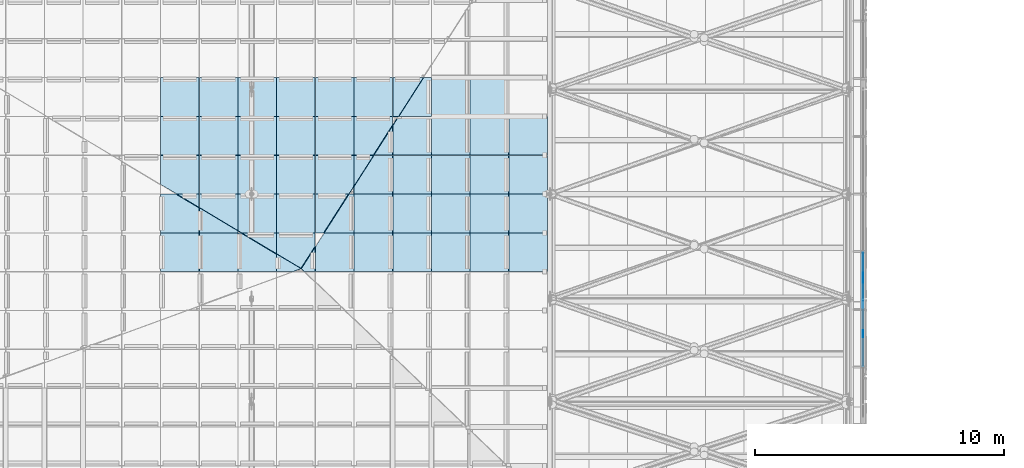
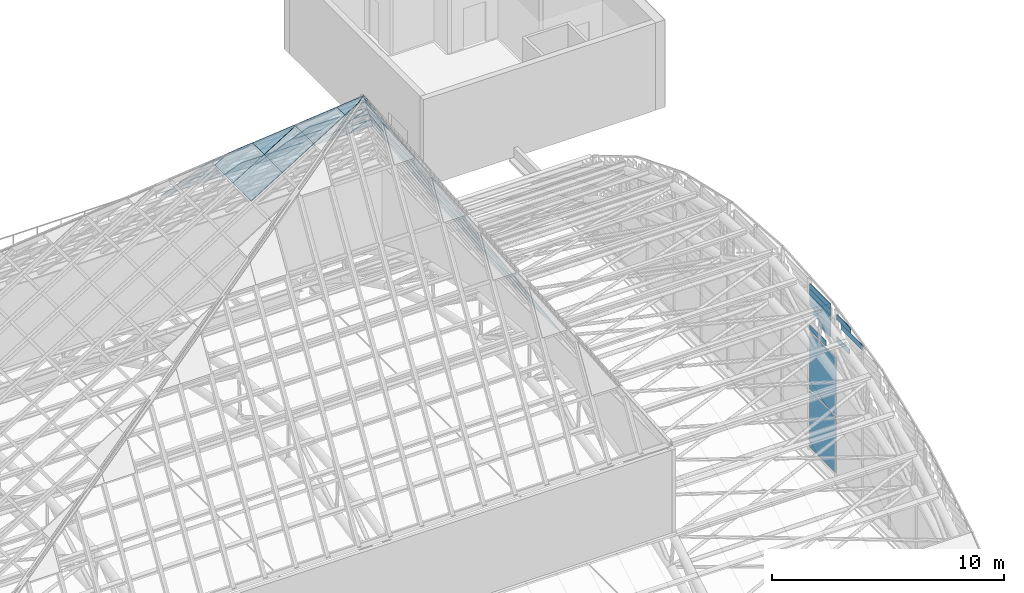
# One storey, part 63 of 110: 70 plates, 1 element without a shape of its own.
"""IFC4 building model written with IfcOpenShell, lengths in metres."""

from ifc_helpers import new_model, si_unit, direction, frame, origin, place, context, subcontext, project, spatial, polyline, outline, extrude, material, layer, layer_set, type_object, element, aggregate, save


model = new_model("IFC4")

# Units and contexts
model_context = context("Model", 3, precision=1e-05, world=origin(), true_north=direction((0.0, 1.0)))
body_context = subcontext(model_context, "Body", "Model", "MODEL_VIEW")
ifc_project = project(units=[si_unit("LENGTHUNIT", "METRE"), si_unit("AREAUNIT", "SQUARE_METRE"), si_unit("VOLUMEUNIT", "CUBIC_METRE"), si_unit("PLANEANGLEUNIT", "RADIAN"), si_unit("MASSUNIT", "GRAM", prefix="KILO")], contexts=[model_context])

# Site, building, storey
site_placement = place(None, origin())
site = spatial("IfcSite", under=ifc_project, at=site_placement, CompositionType="ELEMENT")
building_placement = place(site_placement, origin())
building = spatial("IfcBuilding", under=site, at=building_placement, Name="Windward Yard Aquatics Centre", CompositionType="ELEMENT")
storey_placement = place(building_placement, frame((0.0, 0.0, 22.60009765625)))
storey = spatial("IfcBuildingStorey", under=building, at=storey_placement, Name="L05", CompositionType="ELEMENT", Elevation=22.60009765625)

# Curtain wall, plates
ifc_material_1 = material(Name="Glass and aluminium curtain wall", Category="aluminium")
ifc_layer_1 = layer(ifc_material_1, 0.179931640625)
ifc_layer_set_1 = layer_set([ifc_layer_1], Name="H gable glazing system double glazed 8+16+8")
curtain_wall_type = type_object("IfcCurtainWallType", Name="H gable glazing system double glazed 8+16+8", PredefinedType="NOTDEFINED", material=ifc_layer_set_1)
curtain_wall_placement = place(storey_placement, origin())
curtain_wall = element("IfcCurtainWall", 1, at=curtain_wall_placement, inside=storey, type_object=curtain_wall_type, Name="Gable glazing E", PredefinedType="NOTDEFINED")
ifc_material_2 = material(Name="Low-iron glass", Category="glass")
ifc_layer_2 = layer(ifc_material_2, 0.008, Name="Outer pane")
ifc_material_3 = material(Name="Argon-filled cavity")
ifc_layer_3 = layer(ifc_material_3, 0.016, Name="Cavity")
ifc_layer_4 = layer(ifc_material_2, 0.008, Name="Inner pane")
ifc_layer_set_2 = layer_set([ifc_layer_2, ifc_layer_3, ifc_layer_4], Name="H gable glass low-e double glazed unit 32")
plate_type_1 = type_object("IfcPlateType", Name="H gable glass low-e double glazed unit 32", PredefinedType="CURTAIN_PANEL", material=ifc_layer_set_2)
plate_1_placement = place(storey_placement, frame((144.60595703125, 55.250732421875, 7.0517578125), z_axis=(1.0, 0.0, 0.0), x_axis=(0.0, 1.0, 0.0)))
plate_1 = element("IfcPlate", 2, at=plate_1_placement, type_object=plate_type_1, Name="Gable panel 7.3d", PredefinedType="CURTAIN_PANEL", context=body_context, shape_type="SweptSolid", body=[
    extrude(outline(polyline([(0.0, 0.0), (1.078369, 0.0), (1.078369, 0.266846), (0.0, 0.266846), (0.0, 0.0)])), origin(), (0.0, 0.0, -1.0), 0.031982421875),
])
plate_2_placement = place(storey_placement, frame((144.60595703125, 54.07470703125, 7.93603515625), z_axis=(1.0, 0.0, 0.0), x_axis=(0.0, 1.0, 0.0)))
plate_2 = element("IfcPlate", 3, at=plate_2_placement, type_object=plate_type_1, Name="Gable panel 7.3k", PredefinedType="CURTAIN_PANEL", context=body_context, shape_type="SweptSolid", body=[
    extrude(outline(polyline([(0.0, 0.0), (1.872314, 0.0), (1.872314, 0.278076), (0.0, 0.278076), (0.0, 0.0)])), origin(), (0.0, 0.0, -1.0), 0.031982421875),
])
plate_3_placement = place(storey_placement, frame((144.60595703125, 55.13525390625, 8.214599609375), z_axis=(1.0, 0.0, 0.0), x_axis=(0.0, 1.0, 0.0)))
plate_3 = element("IfcPlate", 4, at=plate_3_placement, type_object=plate_type_1, Name="Gable panel 7.3l", PredefinedType="CURTAIN_PANEL", context=body_context, shape_type="SweptSolid", body=[
    extrude(outline(polyline([(0.0, 0.0), (1.186035, 0.0), (1.186035, 0.278076), (0.0, 0.278076), (0.0, 0.0)])), origin(), (0.0, 0.0, -1.0), 0.031982421875),
])
plate_4_placement = place(storey_placement, frame((144.573974609375, 56.39404296875, 0.099853515625), z_axis=(-1.0, 0.0, 0.0), x_axis=(0.0, 0.0, 1.0)))
plate_4 = element("IfcPlate", 5, at=plate_4_placement, type_object=plate_type_1, Name="Gable panel 8.1", PredefinedType="CURTAIN_PANEL", context=body_context, shape_type="SweptSolid", body=[
    extrude(outline(polyline([(0.0, 0.0), (2.949951, 0.0), (2.949951, 2.25415), (0.0, 2.25415), (0.0, 0.0)])), origin(), (0.0, 0.0, -1.0), 0.031982421875),
])
plate_5_placement = place(storey_placement, frame((144.573974609375, 56.39404296875, 3.14990234375), z_axis=(-1.0, 0.0, 0.0), x_axis=(0.0, 0.0, 1.0)))
plate_5 = element("IfcPlate", 6, at=plate_5_placement, type_object=plate_type_1, Name="Gable panel 8.2", PredefinedType="CURTAIN_PANEL", context=body_context, shape_type="SweptSolid", body=[
    extrude(outline(polyline([(0.0, 0.0), (3.0, 0.0), (3.0, 2.25415), (0.0, 2.25415), (0.0, 0.0)])), origin(), (0.0, 0.0, -1.0), 0.031982421875),
])
plate_6_placement = place(storey_placement, frame((144.60595703125, 57.257080078125, 6.25), z_axis=(1.0, 0.0, 0.0), x_axis=(0.0, 1.0, 0.0)))
plate_6 = element("IfcPlate", 7, at=plate_6_placement, type_object=plate_type_1, Name="Gable panel 8.3a", PredefinedType="CURTAIN_PANEL", context=body_context, shape_type="SweptSolid", body=[
    extrude(outline(polyline([(0.0, 0.0), (1.391113, 0.0), (1.391113, 0.275391), (0.0, 0.275391), (0.0, 0.0)])), origin(), (0.0, 0.0, -1.0), 0.031982421875),
])
plate_7_placement = place(storey_placement, frame((144.60595703125, 56.85986328125, 6.96484375), z_axis=(1.0, 0.0, 0.0), x_axis=(0.0, 1.0, 0.0)))
plate_7 = element("IfcPlate", 8, at=plate_7_placement, type_object=plate_type_1, Name="Gable panel 8.3e", PredefinedType="CURTAIN_PANEL", context=body_context, shape_type="SweptSolid", body=[
    extrude(outline(polyline([(0.0, 0.0), (0.97998, 0.0), (0.97998, 0.290771), (0.0, 0.290771), (0.0, 0.0)])), origin(), (0.0, 0.0, -1.0), 0.031982421875),
])
plate_8_placement = place(storey_placement, frame((144.60595703125, 56.85986328125, 7.255859375), z_axis=(1.0, 0.0, 0.0), x_axis=(0.0, 1.0, 0.0)))
plate_8 = element("IfcPlate", 9, at=plate_8_placement, type_object=plate_type_1, Name="Gable panel 8.3f", PredefinedType="CURTAIN_PANEL", context=body_context, shape_type="SweptSolid", body=[
    extrude(outline(polyline([(0.0, 0.0), (1.469971, 0.0), (1.469971, 0.290771), (0.0, 0.290771), (0.0, 0.0)])), origin(), (0.0, 0.0, -1.0), 0.031982421875),
])
plate_9_placement = place(storey_placement, frame((144.60595703125, 56.85986328125, 7.547119140625), z_axis=(1.0, 0.0, 0.0), x_axis=(0.0, 1.0, 0.0)))
plate_9 = element("IfcPlate", 10, at=plate_9_placement, type_object=plate_type_1, Name="Gable panel 8.3g", PredefinedType="CURTAIN_PANEL", context=body_context, shape_type="SweptSolid", body=[
    extrude(outline(polyline([(0.0, 0.0), (1.78833, 0.0), (1.78833, 0.290771), (0.0, 0.290771), (0.0, 0.0)])), origin(), (0.0, 0.0, -1.0), 0.031982421875),
])
plate_10_placement = place(storey_placement, frame((144.60595703125, 56.85986328125, 7.83837890625), z_axis=(1.0, 0.0, 0.0), x_axis=(0.0, 1.0, 0.0)))
plate_10 = element("IfcPlate", 11, at=plate_10_placement, type_object=plate_type_1, Name="Gable panel 8.3h", PredefinedType="CURTAIN_PANEL", context=body_context, shape_type="SweptSolid", body=[
    extrude(outline(polyline([(0.0, 0.0), (1.78833, 0.0), (1.78833, 0.290771), (0.0, 0.290771), (0.0, 0.0)])), origin(), (0.0, 0.0, -1.0), 0.031982421875),
])
plate_11_placement = place(storey_placement, frame((144.60595703125, 56.85986328125, 8.12939453125), z_axis=(1.0, 0.0, 0.0), x_axis=(0.0, 1.0, 0.0)))
plate_11 = element("IfcPlate", 12, at=plate_11_placement, type_object=plate_type_1, Name="Gable panel 8.3i", PredefinedType="CURTAIN_PANEL", context=body_context, shape_type="SweptSolid", body=[
    extrude(outline(polyline([(0.0, 0.0), (1.78833, 0.0), (1.78833, 0.290771), (0.0, 0.290771), (0.0, 0.0)])), origin(), (0.0, 0.0, -1.0), 0.031982421875),
])
plate_12_placement = place(storey_placement, frame((144.60595703125, 56.85986328125, 8.420654296875), z_axis=(1.0, 0.0, 0.0), x_axis=(0.0, 1.0, 0.0)))
plate_12 = element("IfcPlate", 13, at=plate_12_placement, type_object=plate_type_1, Name="Gable panel 8.3j", PredefinedType="CURTAIN_PANEL", context=body_context, shape_type="SweptSolid", body=[
    extrude(outline(polyline([(0.0, 0.0), (1.78833, 0.0), (1.78833, 0.290771), (0.0, 0.290771), (0.0, 0.0)])), origin(), (0.0, 0.0, -1.0), 0.031982421875),
])
aggregate(curtain_wall, [plate_1, plate_2, plate_3, plate_4, plate_5, plate_6, plate_7, plate_8, plate_9, plate_10, plate_11, plate_12])

# Plates
ifc_material_4 = material(Name="Laminated low-e glass", Category="glass")
ifc_layer_5 = layer(ifc_material_4, 0.035888671875)
ifc_layer_set_3 = layer_set([ifc_layer_5], Name="H lantern glass laminated low-e 36")
plate_type_2 = type_object("IfcPlateType", Name="H lantern glass laminated low-e 36", PredefinedType="SHEET", material=ifc_layer_set_3)
for number, where, z_axis, x_axis, name in (
    (14, (128.791015625, 64.12646484375, 15.9189453125), (0.850371202966, 0.0, 0.526183254357), (0.0, 1.0, 0.0), "H.LN.G.02.014"),
    (15, (127.234375, 64.12646484375, 18.4345703125), (0.850371202966, 0.0, 0.526183254357), (0.0, 1.0, 0.0), "H.LN.G.02.015"),
):
    element("IfcPlate", number, at=place(storey_placement, frame(where, z_axis=z_axis, x_axis=x_axis)), inside=storey, type_object=plate_type_2, Name=name, PredefinedType="SHEET", context=body_context, shape_type="SweptSolid", body=[
        extrude(outline(polyline([(0.0, 0.0), (1.552979, 0.0), (1.552979, -2.943051), (0.0, -2.943051), (0.0, 0.0)])), origin(), (0.0, 0.0, -1.0), 0.035888671875),
    ])
plate_13_placement = place(storey_placement, frame((125.92041015625, 64.12646484375, 20.558349609375), z_axis=(0.850413888269, -1.2571025e-05, 0.526114263712), x_axis=(0.406215876536, 0.635509691947, -0.656594313934)))
element("IfcPlate", 16, at=plate_13_placement, inside=storey, type_object=plate_type_2, Name="H.LN.G.02.016", PredefinedType="SHEET", context=body_context, shape_type="SweptSolid", body=[
    extrude(outline(polyline([(0.0, 0.0), (2.443674, 0.0), (2.903379, -0.378383), (1.916446, -1.577427), (0.0, 0.0)])), origin(), (0.0, 0.0, -1.0), 0.035888671875),
])
for number, where, z_axis, x_axis, name in (
    (17, (130.347412109375, 62.565185546875, 13.4033203125), (0.850371202966, 0.0, 0.526183254357), (0.0, 1.0, 0.0), "H.LN.G.02.017"),
    (18, (128.791015625, 62.565185546875, 15.9189453125), (0.850371202966, 0.0, 0.526183254357), (0.0, 1.0, 0.0), "H.LN.G.02.018"),
    (19, (127.234375, 62.565185546875, 18.4345703125), (0.850371202966, 0.0, 0.526183254357), (0.0, 1.0, 0.0), "H.LN.G.02.019"),
):
    element("IfcPlate", number, at=place(storey_placement, frame(where, z_axis=z_axis, x_axis=x_axis)), inside=storey, type_object=plate_type_2, Name=name, PredefinedType="SHEET", context=body_context, shape_type="SweptSolid", body=[
        extrude(outline(polyline([(0.0, 0.0), (1.553223, 0.0), (1.553223, -2.943051), (0.0, -2.943051), (0.0, 0.0)])), origin(), (0.0, 0.0, -1.0), 0.035888671875),
    ])
plate_14_placement = place(storey_placement, frame((125.677978515625, 62.565185546875, 20.9501953125), z_axis=(0.850405828125, 3.7538206e-05, 0.52612729076), x_axis=(-3.1922709e-05, 0.999999999295, -1.9749875e-05)))
element("IfcPlate", 20, at=plate_14_placement, inside=storey, type_object=plate_type_2, Name="H.LN.G.02.020", PredefinedType="SHEET", context=body_context, shape_type="SweptSolid", body=[
    extrude(outline(polyline([(0.0, 0.0), (1.181885, 0.0), (1.553223, -0.451229), (1.553223, -2.942922), (0.0, -2.942922), (0.0, 0.0)])), origin(), (0.0, 0.0, -1.0), 0.035888671875),
])
plate_15_placement = place(storey_placement, frame((124.922607421875, 62.565185546875, 22.1708984375), z_axis=(0.850375029588, 0.0, 0.526177070056), x_axis=(0.406200338954, 0.635641824107, -0.656476013331)))
element("IfcPlate", 21, at=plate_15_placement, inside=storey, type_object=plate_type_2, Name="H.LN.G.02.021", PredefinedType="SHEET", context=body_context, shape_type="SweptSolid", body=[
    extrude(outline(polyline([(0.0, 0.0), (1.839768, 0.0), (1.096427, -0.902784), (0.0, 0.0)])), origin(), (0.0, 0.0, -1.0), 0.035888671875),
])
for number, where, z_axis, x_axis, name in (
    (22, (130.347412109375, 61.00390625, 13.4033203125), (0.850371202966, 0.0, 0.526183254357), (0.0, 1.0, 0.0), "H.LN.G.02.022"),
    (23, (128.791015625, 61.00390625, 15.9189453125), (0.850371202966, 0.0, 0.526183254357), (0.0, 1.0, 0.0), "H.LN.G.02.023"),
    (24, (127.234375, 61.00390625, 18.4345703125), (0.850371202966, 0.0, 0.526183254357), (0.0, 1.0, 0.0), "H.LN.G.02.024"),
):
    element("IfcPlate", number, at=place(storey_placement, frame(where, z_axis=z_axis, x_axis=x_axis)), inside=storey, type_object=plate_type_2, Name=name, PredefinedType="SHEET", context=body_context, shape_type="SweptSolid", body=[
        extrude(outline(polyline([(0.0, 0.0), (1.553223, 0.0), (1.553223, -2.943051), (0.0, -2.943051), (0.0, 0.0)])), origin(), (0.0, 0.0, -1.0), 0.035888671875),
    ])
plate_16_placement = place(storey_placement, frame((125.677978515625, 61.00390625, 20.9501953125), z_axis=(0.850408320753, 0.0, 0.526123263118), x_axis=(0.0, 1.0, 0.0)))
element("IfcPlate", 25, at=plate_16_placement, inside=storey, type_object=plate_type_2, Name="H.LN.G.02.025", PredefinedType="SHEET", context=body_context, shape_type="SweptSolid", body=[
    extrude(outline(polyline([(0.0, 0.0), (1.553223, 0.0), (1.553223, -2.942922), (0.0, -2.942922), (0.0, 0.0)])), origin(), (0.0, 0.0, -1.0), 0.035888671875),
])
plate_17_placement = place(storey_placement, frame((124.121337890625, 61.00390625, 23.4658203125), z_axis=(0.85037285039, -7.399084e-06, 0.526180591874), x_axis=(6.29198e-06, 0.999999999973, 3.893255e-06)))
element("IfcPlate", 26, at=plate_17_placement, inside=storey, type_object=plate_type_2, Name="H.LN.G.02.026", PredefinedType="SHEET", context=body_context, shape_type="SweptSolid", body=[
    extrude(outline(polyline([(0.0, 0.0), (0.307861, 0.0), (1.553223, -1.513022), (1.553223, -2.943051), (0.0, -2.943051), (0.0, 0.0)])), origin(), (0.0, 0.0, -1.0), 0.035888671875),
])
for number, where, z_axis, x_axis, name in (
    (27, (130.347412109375, 59.44287109375, 13.4033203125), (0.850371202966, 0.0, 0.526183254357), (0.0, 1.0, 0.0), "H.LN.G.02.027"),
    (28, (128.791015625, 59.44287109375, 15.9189453125), (0.850371202966, 0.0, 0.526183254357), (0.0, 1.0, 0.0), "H.LN.G.02.028"),
    (29, (127.234375, 59.44287109375, 18.4345703125), (0.850371202966, 0.0, 0.526183254357), (0.0, 1.0, 0.0), "H.LN.G.02.029"),
):
    element("IfcPlate", number, at=place(storey_placement, frame(where, z_axis=z_axis, x_axis=x_axis)), inside=storey, type_object=plate_type_2, Name=name, PredefinedType="SHEET", context=body_context, shape_type="SweptSolid", body=[
        extrude(outline(polyline([(0.0, 0.0), (1.553223, 0.0), (1.553223, -2.943051), (0.0, -2.943051), (0.0, 0.0)])), origin(), (0.0, 0.0, -1.0), 0.035888671875),
    ])
plate_18_placement = place(storey_placement, frame((125.677978515625, 59.44287109375, 20.9501953125), z_axis=(0.850408320753, 0.0, 0.526123263118), x_axis=(0.0, 1.0, 0.0)))
element("IfcPlate", 30, at=plate_18_placement, inside=storey, type_object=plate_type_2, Name="H.LN.G.02.030", PredefinedType="SHEET", context=body_context, shape_type="SweptSolid", body=[
    extrude(outline(polyline([(0.0, 0.0), (1.553223, 0.0), (1.553223, -2.942922), (0.0, -2.942922), (0.0, 0.0)])), origin(), (0.0, 0.0, -1.0), 0.035888671875),
])
plate_19_placement = place(storey_placement, frame((124.121337890625, 59.44287109375, 23.4658203125), z_axis=(0.850371202966, 0.0, 0.526183254357), x_axis=(0.0, 1.0, 0.0)))
element("IfcPlate", 31, at=plate_19_placement, inside=storey, type_object=plate_type_2, Name="H.LN.G.02.031", PredefinedType="SHEET", context=body_context, shape_type="SweptSolid", body=[
    extrude(outline(polyline([(0.0, 0.0), (1.553223, 0.0), (1.553223, -2.943051), (0.0, -2.943051), (0.0, 0.0)])), origin(), (0.0, 0.0, -1.0), 0.035888671875),
])
plate_20_placement = place(storey_placement, frame((122.927001953125, 59.44287109375, 25.396240234375), z_axis=(0.850415877355, -1.4865356e-05, 0.526111048469), x_axis=(0.406188844349, 0.635569243746, -0.656553393968)))
element("IfcPlate", 32, at=plate_20_placement, inside=storey, type_object=plate_type_2, Name="H.LN.G.02.032", PredefinedType="SHEET", context=body_context, shape_type="SweptSolid", body=[
    extrude(outline(polyline([(0.0, 0.0), (2.443829, 0.0), (2.727962, -0.233907), (1.740782, -1.433063), (0.0, 0.0)])), origin(), (0.0, 0.0, -1.0), 0.035888671875),
])
for number, where, z_axis, x_axis, name in (
    (33, (130.347412109375, 57.881591796875, 13.4033203125), (0.850371202966, 0.0, 0.526183254357), (0.0, 1.0, 0.0), "H.LN.G.02.033"),
    (34, (128.791015625, 57.881591796875, 15.9189453125), (0.850371202966, 0.0, 0.526183254357), (0.0, 1.0, 0.0), "H.LN.G.02.034"),
    (35, (127.234375, 57.881591796875, 18.4345703125), (0.850371202966, 0.0, 0.526183254357), (0.0, 1.0, 0.0), "H.LN.G.02.035"),
):
    element("IfcPlate", number, at=place(storey_placement, frame(where, z_axis=z_axis, x_axis=x_axis)), inside=storey, type_object=plate_type_2, Name=name, PredefinedType="SHEET", context=body_context, shape_type="SweptSolid", body=[
        extrude(outline(polyline([(0.0, 0.0), (1.553223, 0.0), (1.553223, -2.943051), (0.0, -2.943051), (0.0, 0.0)])), origin(), (0.0, 0.0, -1.0), 0.035888671875),
    ])
plate_21_placement = place(storey_placement, frame((125.677978515625, 57.881591796875, 20.9501953125), z_axis=(0.850408320753, 0.0, 0.526123263118), x_axis=(0.0, 1.0, 0.0)))
element("IfcPlate", 36, at=plate_21_placement, inside=storey, type_object=plate_type_2, Name="H.LN.G.02.036", PredefinedType="SHEET", context=body_context, shape_type="SweptSolid", body=[
    extrude(outline(polyline([(0.0, 0.0), (1.553223, 0.0), (1.553223, -2.942922), (0.0, -2.942922), (0.0, 0.0)])), origin(), (0.0, 0.0, -1.0), 0.035888671875),
])
plate_22_placement = place(storey_placement, frame((124.121337890625, 57.881591796875, 23.4658203125), z_axis=(0.850371202966, 0.0, 0.526183254357), x_axis=(0.0, 1.0, 0.0)))
element("IfcPlate", 37, at=plate_22_placement, inside=storey, type_object=plate_type_2, Name="H.LN.G.02.037", PredefinedType="SHEET", context=body_context, shape_type="SweptSolid", body=[
    extrude(outline(polyline([(0.0, 0.0), (1.553223, 0.0), (1.553223, -2.943051), (0.0, -2.943051), (0.0, 0.0)])), origin(), (0.0, 0.0, -1.0), 0.035888671875),
])
plate_23_placement = place(storey_placement, frame((122.56494140625, 57.881591796875, 25.981201171875), z_axis=(0.850389222267, -3.8744614e-05, 0.526154130603), x_axis=(3.2948002e-05, 0.999999999249, 2.0385639e-05)))
element("IfcPlate", 38, at=plate_23_placement, inside=storey, type_object=plate_type_2, Name="H.LN.G.02.038", PredefinedType="SHEET", context=body_context, shape_type="SweptSolid", body=[
    extrude(outline(polyline([(0.0, 0.0), (0.994873, 0.0), (1.553223, -0.678188), (1.553223, -2.942715), (0.0, -2.942715), (0.0, 0.0)])), origin(), (0.0, 0.0, -1.0), 0.035888671875),
])
plate_24_placement = place(storey_placement, frame((122.005126953125, 58.00048828125, 26.885986328125), z_axis=(0.850414216872, 8.7661664e-05, 0.526113725404), x_axis=(0.406147009803, 0.635542663454, -0.656605002538)))
element("IfcPlate", 39, at=plate_24_placement, inside=storey, type_object=plate_type_2, Name="H.LN.G.02.039", PredefinedType="SHEET", context=body_context, shape_type="SweptSolid", body=[
    extrude(outline(polyline([(0.0, 0.0), (1.358337, 0.0), (0.734121, -0.758306), (0.106677, -0.241811), (0.0, 0.0)])), origin(), (0.0, 0.0, -1.0), 0.035888671875),
])
plate_25_placement = place(storey_placement, frame((116.3388671875, 64.12646484375, 20.56591796875), z_axis=(0.0, 0.718494611318, 0.695532525125), x_axis=(0.0, 0.695532525125, -0.718494611318)))
element("IfcPlate", 40, at=plate_25_placement, inside=storey, type_object=plate_type_2, Name="H.LN.G.03.065", PredefinedType="SHEET", context=body_context, shape_type="SweptSolid", body=[
    extrude(outline(polyline([(0.0, 0.0), (2.232791, 0.0), (2.232791, -1.54834), (0.0, -1.54834), (0.0, 0.0)])), origin(), (0.0, 0.0, -1.0), 0.035888671875),
])
plate_26_placement = place(storey_placement, frame((116.3388671875, 62.565185546875, 22.1787109375), z_axis=(0.0, 0.718492865278, 0.695534328804), x_axis=(0.0, 0.695534328804, -0.718492865278)))
element("IfcPlate", 41, at=plate_26_placement, inside=storey, type_object=plate_type_2, Name="H.LN.G.03.066", PredefinedType="SHEET", context=body_context, shape_type="SweptSolid", body=[
    extrude(outline(polyline([(0.0, 0.0), (2.233136, 0.0), (2.233136, -1.54834), (0.0, -1.54834), (0.0, 0.0)])), origin(), (0.0, 0.0, -1.0), 0.035888671875),
])
plate_27_placement = place(storey_placement, frame((116.3388671875, 61.390380859375, 23.39208984375), z_axis=(1.4600277e-05, 0.718495802807, 0.695531294145), x_axis=(3.11e-10, 0.69553129422, -0.718495802883)))
element("IfcPlate", 42, at=plate_27_placement, inside=storey, type_object=plate_type_2, Name="H.LN.G.03.067", PredefinedType="SHEET", context=body_context, shape_type="SweptSolid", body=[
    extrude(outline(polyline([(0.0, 0.0), (1.677529, 0.0), (1.677529, -1.54834), (-0.555607, -1.54834), (-0.555607, -0.645996), (0.0, 0.0)])), origin(), (0.0, 0.0, -1.0), 0.035888671875),
])
plate_28_placement = place(storey_placement, frame((116.998291015625, 60.99609375, 23.799560546875), z_axis=(0.0, 0.718509474305, 0.695517171128), x_axis=(1.0, 0.0, 0.0)))
element("IfcPlate", 43, at=plate_28_placement, inside=storey, type_object=plate_type_2, Name="H.LN.G.03.068", PredefinedType="SHEET", context=body_context, shape_type="SweptSolid", body=[
    extrude(outline(polyline([(0.0, 0.0), (0.888916, 0.0), (0.888916, -0.764522), (0.0, 0.0)])), origin(), (0.0, 0.0, -1.0), 0.035888671875),
])
plate_29_placement = place(storey_placement, frame((117.895263671875, 64.12646484375, 20.56591796875), z_axis=(0.0, 0.718494611318, 0.695532525125), x_axis=(0.0, 0.695532525125, -0.718494611318)))
element("IfcPlate", 44, at=plate_29_placement, inside=storey, type_object=plate_type_2, Name="H.LN.G.03.074", PredefinedType="SHEET", context=body_context, shape_type="SweptSolid", body=[
    extrude(outline(polyline([(0.0, 0.0), (2.232791, 0.0), (2.232791, -1.548584), (0.0, -1.548584), (0.0, 0.0)])), origin(), (0.0, 0.0, -1.0), 0.035888671875),
])
for number, where, z_axis, x_axis, name in (
    (45, (117.895263671875, 62.565185546875, 22.1787109375), (0.0, 0.718492865278, 0.695534328804), (0.0, 0.695534328804, -0.718492865278), "H.LN.G.03.075"),
    (46, (117.895263671875, 61.00390625, 23.791259765625), (0.0, 0.718492865278, 0.695534328804), (0.0, 0.695534328804, -0.718492865278), "H.LN.G.03.076"),
):
    element("IfcPlate", number, at=place(storey_placement, frame(where, z_axis=z_axis, x_axis=x_axis)), inside=storey, type_object=plate_type_2, Name=name, PredefinedType="SHEET", context=body_context, shape_type="SweptSolid", body=[
        extrude(outline(polyline([(0.0, 0.0), (2.233136, 0.0), (2.233136, -1.548584), (0.0, -1.548584), (0.0, 0.0)])), origin(), (0.0, 0.0, -1.0), 0.035888671875),
    ])
plate_30_placement = place(storey_placement, frame((117.895263671875, 60.45947265625, 24.353759765625), z_axis=(-2.2149459e-05, 0.71843917569, 0.695589785969), x_axis=(9.85e-10, 0.695589786139, -0.718439175866)))
element("IfcPlate", 47, at=plate_30_placement, inside=storey, type_object=plate_type_2, Name="H.LN.G.03.077", PredefinedType="SHEET", context=body_context, shape_type="SweptSolid", body=[
    extrude(outline(polyline([(0.0, 0.0), (0.771427, 0.0), (0.771427, -1.548584), (-1.331352, -1.548584), (0.0, 0.0)])), origin(), (0.0, 0.0, -1.0), 0.035888671875),
])
plate_31_placement = place(storey_placement, frame((119.451904296875, 64.12646484375, 20.56591796875), z_axis=(0.0, 0.718494611318, 0.695532525125), x_axis=(0.0, 0.695532525125, -0.718494611318)))
element("IfcPlate", 48, at=plate_31_placement, inside=storey, type_object=plate_type_2, Name="H.LN.G.03.083", PredefinedType="SHEET", context=body_context, shape_type="SweptSolid", body=[
    extrude(outline(polyline([(0.0, 0.0), (2.232791, 0.0), (2.232791, -1.54834), (0.0, -1.54834), (0.0, 0.0)])), origin(), (0.0, 0.0, -1.0), 0.035888671875),
])
for number, where, z_axis, x_axis, name in (
    (49, (119.451904296875, 62.565185546875, 22.1787109375), (0.0, 0.718492865278, 0.695534328804), (0.0, 0.695534328804, -0.718492865278), "H.LN.G.03.084"),
    (50, (119.451904296875, 61.00390625, 23.791259765625), (0.0, 0.718492865278, 0.695534328804), (0.0, 0.695534328804, -0.718492865278), "H.LN.G.03.085"),
):
    element("IfcPlate", number, at=place(storey_placement, frame(where, z_axis=z_axis, x_axis=x_axis)), inside=storey, type_object=plate_type_2, Name=name, PredefinedType="SHEET", context=body_context, shape_type="SweptSolid", body=[
        extrude(outline(polyline([(0.0, 0.0), (2.233136, 0.0), (2.233136, -1.54834), (0.0, -1.54834), (0.0, 0.0)])), origin(), (0.0, 0.0, -1.0), 0.035888671875),
    ])
plate_32_placement = place(storey_placement, frame((119.451904296875, 59.528564453125, 25.315185546875), z_axis=(-2.5796343e-05, 0.718438818592, 0.69559015467), x_axis=(9.32e-10, 0.695590154902, -0.718438818831)))
element("IfcPlate", 51, at=plate_32_placement, inside=storey, type_object=plate_type_2, Name="H.LN.G.03.086", PredefinedType="SHEET", context=body_context, shape_type="SweptSolid", body=[
    extrude(outline(polyline([(0.0, 0.0), (2.109683, 0.0), (2.109683, -1.54834), (-0.123278, -1.54834), (-0.123278, -0.143311), (0.0, 0.0)])), origin(), (0.0, 0.0, -1.0), 0.035888671875),
])
plate_33_placement = place(storey_placement, frame((119.608642578125, 59.434814453125, 25.412109375), z_axis=(0.0, 0.718539651838, 0.695485994638), x_axis=(1.0, 0.0, 0.0)))
element("IfcPlate", 52, at=plate_33_placement, inside=storey, type_object=plate_type_2, Name="H.LN.G.03.087", PredefinedType="SHEET", context=body_context, shape_type="SweptSolid", body=[
    extrude(outline(polyline([(0.0, 0.0), (1.391602, 0.0), (1.391602, -1.196682), (0.0, 0.0)])), origin(), (0.0, 0.0, -1.0), 0.035888671875),
])
plate_34_placement = place(storey_placement, frame((121.00830078125, 64.12646484375, 20.56591796875), z_axis=(0.0, 0.718494611318, 0.695532525125), x_axis=(0.0, 0.695532525125, -0.718494611318)))
element("IfcPlate", 53, at=plate_34_placement, inside=storey, type_object=plate_type_2, Name="H.LN.G.03.093", PredefinedType="SHEET", context=body_context, shape_type="SweptSolid", body=[
    extrude(outline(polyline([(0.0, 0.0), (2.232791, 0.0), (2.232791, -1.548584), (0.0, -1.548584), (0.0, 0.0)])), origin(), (0.0, 0.0, -1.0), 0.035888671875),
])
for number, where, z_axis, x_axis, name in (
    (54, (121.00830078125, 62.565185546875, 22.1787109375), (0.0, 0.718492865278, 0.695534328804), (0.0, 0.695534328804, -0.718492865278), "H.LN.G.03.094"),
    (55, (121.00830078125, 61.00390625, 23.791259765625), (0.0, 0.718492865278, 0.695534328804), (0.0, 0.695534328804, -0.718492865278), "H.LN.G.03.095"),
):
    element("IfcPlate", number, at=place(storey_placement, frame(where, z_axis=z_axis, x_axis=x_axis)), inside=storey, type_object=plate_type_2, Name=name, PredefinedType="SHEET", context=body_context, shape_type="SweptSolid", body=[
        extrude(outline(polyline([(0.0, 0.0), (2.233136, 0.0), (2.233136, -1.548584), (0.0, -1.548584), (0.0, 0.0)])), origin(), (0.0, 0.0, -1.0), 0.035888671875),
    ])
plate_35_placement = place(storey_placement, frame((121.00830078125, 59.44287109375, 25.40380859375), z_axis=(0.0, 0.718439970449, 0.695588965454), x_axis=(0.0, 0.695588965454, -0.718439970449)))
element("IfcPlate", 56, at=plate_35_placement, inside=storey, type_object=plate_type_2, Name="H.LN.G.03.096", PredefinedType="SHEET", context=body_context, shape_type="SweptSolid", body=[
    extrude(outline(polyline([(0.0, 0.0), (2.23296, 0.0), (2.23296, -1.548584), (0.0, -1.548584), (0.0, 0.0)])), origin(), (0.0, 0.0, -1.0), 0.035888671875),
])
plate_36_placement = place(storey_placement, frame((121.00830078125, 58.59765625, 26.27685546875), z_axis=(4.290232e-06, 0.718475663332, 0.695552098107), x_axis=(-7e-12, 0.695552098114, -0.718475663339)))
element("IfcPlate", 57, at=plate_36_placement, inside=storey, type_object=plate_type_2, Name="H.LN.G.03.097", PredefinedType="SHEET", context=body_context, shape_type="SweptSolid", body=[
    extrude(outline(polyline([(0.0, 0.0), (1.203586, 0.0), (1.203586, -1.548584), (0.404016, -1.548584), (-0.85154, -0.990479), (0.0, 0.0)])), origin(), (0.0, 0.0, -1.0), 0.035888671875),
])
plate_37_placement = place(storey_placement, frame((122.56494140625, 64.12646484375, 20.56591796875), z_axis=(0.0, 0.718494611318, 0.695532525125), x_axis=(0.0, 0.695532525125, -0.718494611318)))
element("IfcPlate", 58, at=plate_37_placement, inside=storey, type_object=plate_type_2, Name="H.LN.G.03.103", PredefinedType="SHEET", context=body_context, shape_type="SweptSolid", body=[
    extrude(outline(polyline([(0.0, 0.0), (2.232791, 0.0), (2.232791, -1.54834), (0.0, -1.54834), (0.0, 0.0)])), origin(), (0.0, 0.0, -1.0), 0.035888671875),
])
plate_38_placement = place(storey_placement, frame((122.56494140625, 62.565185546875, 22.1787109375), z_axis=(0.0, 0.718492865278, 0.695534328804), x_axis=(0.0, 0.695534328804, -0.718492865278)))
element("IfcPlate", 59, at=plate_38_placement, inside=storey, type_object=plate_type_2, Name="H.LN.G.03.104", PredefinedType="SHEET", context=body_context, shape_type="SweptSolid", body=[
    extrude(outline(polyline([(0.0, 0.0), (2.233136, 0.0), (2.233136, -1.54834), (0.0, -1.54834), (0.0, 0.0)])), origin(), (0.0, 0.0, -1.0), 0.035888671875),
])
plate_39_placement = place(storey_placement, frame((122.56494140625, 61.00390625, 23.791259765625), z_axis=(4.400259e-06, 0.718492593913, 0.695534609112), x_axis=(2e-12, 0.695534609119, -0.71849259392)))
element("IfcPlate", 60, at=plate_39_placement, inside=storey, type_object=plate_type_2, Name="H.LN.G.03.105", PredefinedType="SHEET", context=body_context, shape_type="SweptSolid", body=[
    extrude(outline(polyline([(0.0, 0.0), (2.233136, 0.0), (2.233136, -1.54834), (0.445799, -1.54834), (0.0, -1.350342), (0.0, 0.0)])), origin(), (0.0, 0.0, -1.0), 0.035888671875),
])
plate_40_placement = place(storey_placement, frame((122.56494140625, 59.44287109375, 25.40380859375), z_axis=(0.0, 0.718439970449, 0.695588965454), x_axis=(0.0, 0.695588965454, -0.718439970449)))
element("IfcPlate", 61, at=plate_40_placement, inside=storey, type_object=plate_type_2, Name="H.LN.G.03.106", PredefinedType="SHEET", context=body_context, shape_type="SweptSolid", body=[
    extrude(outline(polyline([(0.0, 0.0), (2.23296, 0.0), (2.23296, -1.345215), (0.0, -0.352539), (0.0, 0.0)])), origin(), (0.0, 0.0, -1.0), 0.035888671875),
])
plate_41_placement = place(storey_placement, frame((124.121337890625, 64.12646484375, 20.56591796875), z_axis=(0.0, 0.718494611318, 0.695532525125), x_axis=(0.0, 0.695532525125, -0.718494611318)))
element("IfcPlate", 62, at=plate_41_placement, inside=storey, type_object=plate_type_2, Name="H.LN.G.03.113", PredefinedType="SHEET", context=body_context, shape_type="SweptSolid", body=[
    extrude(outline(polyline([(0.0, 0.0), (2.232791, 0.0), (2.232791, -1.548584), (0.0, -1.548584), (0.0, 0.0)])), origin(), (0.0, 0.0, -1.0), 0.035888671875),
])
plate_42_placement = place(storey_placement, frame((124.121337890625, 62.565185546875, 22.1787109375), z_axis=(6.1237424e-05, 0.7184784286, 0.695549239009), x_axis=(1.271e-09, 0.695549240313, -0.718478429947)))
element("IfcPlate", 63, at=plate_42_placement, inside=storey, type_object=plate_type_2, Name="H.LN.G.03.114", PredefinedType="SHEET", context=body_context, shape_type="SweptSolid", body=[
    extrude(outline(polyline([(0.0, 0.0), (2.233136, 0.0), (2.233136, -1.548584), (1.702566, -1.548584), (0.0, -0.791748), (0.0, 0.0)])), origin(), (0.0, 0.0, -1.0), 0.035888671875),
])
plate_43_placement = place(storey_placement, frame((124.121337890625, 61.326416015625, 23.4580078125), z_axis=(0.0, 0.718466445654, 0.695561619463), x_axis=(0.0, 0.695561619463, -0.718466445654)))
element("IfcPlate", 64, at=plate_43_placement, inside=storey, type_object=plate_type_2, Name="H.LN.G.03.115", PredefinedType="SHEET", context=body_context, shape_type="SweptSolid", body=[
    extrude(outline(polyline([(0.0, 0.0), (1.76938, 0.0), (1.76938, -0.786621), (0.0, 0.0)])), origin(), (0.0, 0.0, -1.0), 0.035888671875),
])
plate_44_placement = place(storey_placement, frame((125.677978515625, 64.12646484375, 20.56591796875), z_axis=(0.0, 0.718494611318, 0.695532525125), x_axis=(0.0, 0.695532525125, -0.718494611318)))
element("IfcPlate", 65, at=plate_44_placement, inside=storey, type_object=plate_type_2, Name="H.LN.G.03.121", PredefinedType="SHEET", context=body_context, shape_type="SweptSolid", body=[
    extrude(outline(polyline([(0.0, 0.0), (2.232791, 0.0), (2.232791, -1.225586), (0.0, -0.23291), (0.0, 0.0)])), origin(), (0.0, 0.0, -1.0), 0.035888671875),
])
plate_45_placement = place(storey_placement, frame((116.3388671875, 57.881591796875, 23.39697265625), z_axis=(-0.525578555888, 0.0, 0.850745074385), x_axis=(0.0, 1.0, 0.0)))
element("IfcPlate", 66, at=plate_45_placement, inside=storey, type_object=plate_type_2, Name="H.LN.G.04.073", PredefinedType="SHEET", context=body_context, shape_type="SweptSolid", body=[
    extrude(outline(polyline([(0.0, 0.0), (1.553223, 0.0), (1.553223, -1.819981), (0.0, -1.819981), (0.0, 0.0)])), origin(), (0.0, 0.0, -1.0), 0.035888671875),
])
plate_46_placement = place(storey_placement, frame((117.895263671875, 57.881591796875, 24.3583984375), z_axis=(-0.525615657471, 0.0, 0.850722152422), x_axis=(0.0, 1.0, 0.0)))
element("IfcPlate", 67, at=plate_46_placement, inside=storey, type_object=plate_type_2, Name="H.LN.G.04.074", PredefinedType="SHEET", context=body_context, shape_type="SweptSolid", body=[
    extrude(outline(polyline([(0.0, 0.0), (1.553223, 0.0), (1.553223, -1.820317), (0.0, -1.820317), (0.0, 0.0)])), origin(), (0.0, 0.0, -1.0), 0.035888671875),
])
plate_47_placement = place(storey_placement, frame((119.451904296875, 57.881591796875, 25.320068359375), z_axis=(-0.525575749874, 7.133019e-06, 0.850746807866), x_axis=(3.748942e-06, 0.999999999975, -6.068393e-06)))
element("IfcPlate", 68, at=plate_47_placement, inside=storey, type_object=plate_type_2, Name="H.LN.G.04.075", PredefinedType="SHEET", context=body_context, shape_type="SweptSolid", body=[
    extrude(outline(polyline([(0.0, 0.0), (1.553223, 0.0), (1.553223, -0.16586), (0.71167, -1.819981), (0.0, -1.819981), (0.0, 0.0)])), origin(), (0.0, 0.0, -1.0), 0.035888671875),
])
plate_48_placement = place(storey_placement, frame((121.00830078125, 57.881591796875, 26.281494140625), z_axis=(-0.525594932304, 0.000136874757, 0.850734946033), x_axis=(7.1940679e-05, 0.999999990633, -0.00011644414)))
element("IfcPlate", 69, at=plate_48_placement, inside=storey, type_object=plate_type_2, Name="H.LN.G.04.076", PredefinedType="SHEET", context=body_context, shape_type="SweptSolid", body=[
    extrude(outline(polyline([(0.0, 0.0), (0.706787, 0.0), (0.119385, -1.154782), (0.0, -0.772313), (0.0, 0.0)])), origin(), (0.0, 0.0, -1.0), 0.035888671875),
])
plate_49_placement = place(storey_placement, frame((116.3388671875, 59.44287109375, 23.39697265625), z_axis=(-0.525576631515, 7.605839e-06, 0.850746263199), x_axis=(3.997451e-06, 0.999999999971, -6.470639e-06)))
element("IfcPlate", 70, at=plate_49_placement, inside=storey, type_object=plate_type_2, Name="H.LN.G.04.090", PredefinedType="SHEET", context=body_context, shape_type="SweptSolid", body=[
    extrude(outline(polyline([(0.0, 0.0), (1.553223, 0.0), (1.553223, -0.756734), (1.011963, -1.819981), (0.0, -1.819981), (0.0, 0.0)])), origin(), (0.0, 0.0, -1.0), 0.035888671875),
])
plate_50_placement = place(storey_placement, frame((117.895263671875, 59.44287109375, 24.3583984375), z_axis=(-0.525615657471, 0.0, 0.850722152422), x_axis=(0.0, 1.0, 0.0)))
element("IfcPlate", 71, at=plate_50_placement, inside=storey, type_object=plate_type_2, Name="H.LN.G.04.091", PredefinedType="SHEET", context=body_context, shape_type="SweptSolid", body=[
    extrude(outline(polyline([(0.0, 0.0), (1.007324, 0.0), (0.081299, -1.820317), (0.0, -1.820317), (0.0, 0.0)])), origin(), (0.0, 0.0, -1.0), 0.035888671875),
])

save(model, "model.ifc")
